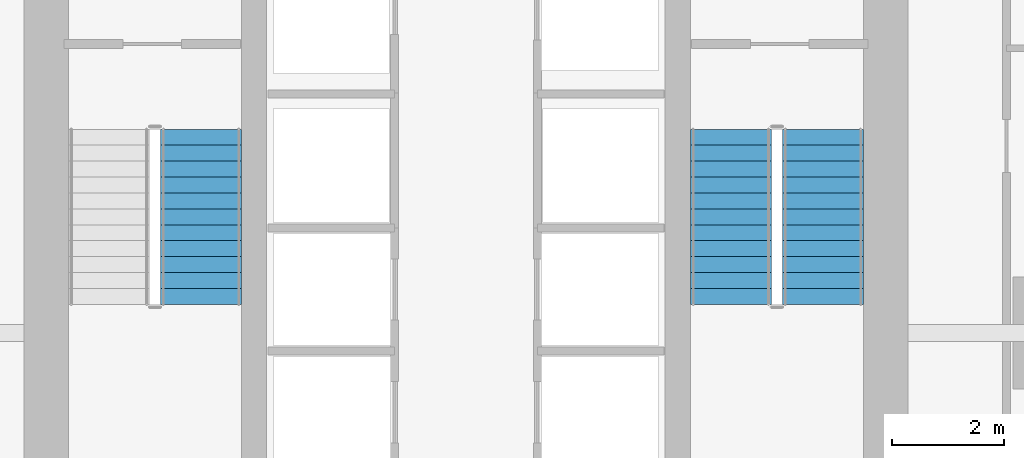
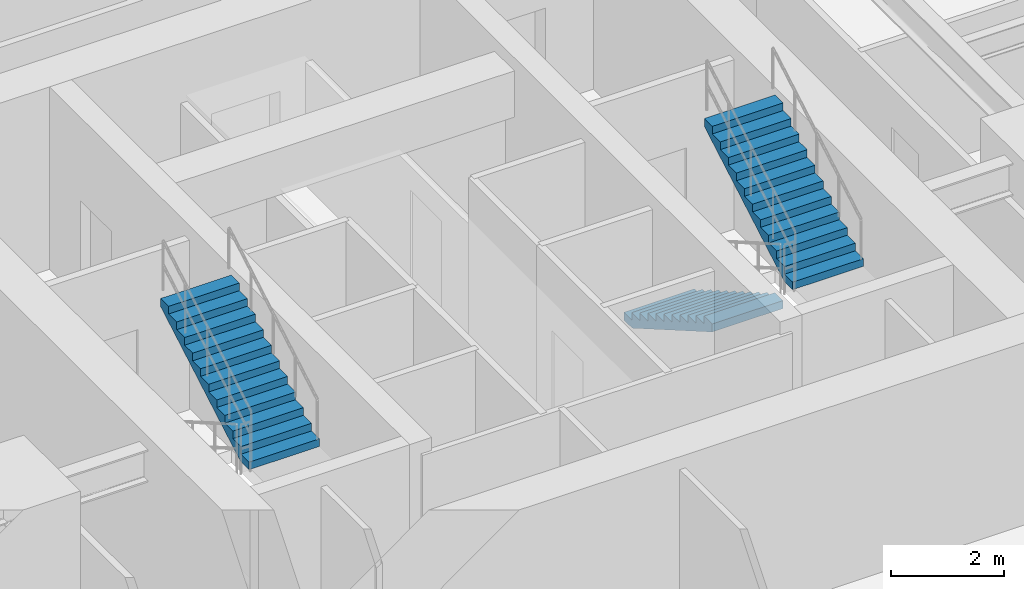
# One storey, part 25 of 27: 3 stair flights, 2 elements without a shape of their own.
"""IFC4 building model written with IfcOpenShell, lengths in metres."""

from ifc_helpers import new_model, si_unit, direction, frame, origin, place, context, subcontext, project, spatial, polyline, outline, extrude, material, type_object, element, aggregate, save


model = new_model("IFC4")

# Units and contexts
model_context = context("Model", 3, precision=1e-05, world=origin(), true_north=direction((0.0, 1.0)))
body_context = subcontext(model_context, "Body", "Model", "MODEL_VIEW")
ifc_project = project(units=[si_unit("LENGTHUNIT", "METRE"), si_unit("AREAUNIT", "SQUARE_METRE"), si_unit("VOLUMEUNIT", "CUBIC_METRE"), si_unit("PLANEANGLEUNIT", "RADIAN"), si_unit("MASSUNIT", "GRAM", prefix="KILO")], contexts=[model_context])

# Site, building, storey
site_placement = place(None, origin())
site = spatial("IfcSite", under=ifc_project, at=site_placement, CompositionType="ELEMENT")
building_placement = place(site_placement, origin())
building = spatial("IfcBuilding", under=site, at=building_placement, Name="Krantzveldt Concourse Tower", CompositionType="ELEMENT")
storey_placement = place(building_placement, frame((0.0, 0.0, 101.89990234375)))
storey = spatial("IfcBuildingStorey", under=building, at=storey_placement, Name="L24", CompositionType="ELEMENT", Elevation=101.89990234375)

# Stair, stair flight
ifc_material = material(Name="Precast concrete C40/50", Category="concrete")
stair_type = type_object("IfcStairType", Name="STR-CORE-DOGLEG", PredefinedType="HALF_TURN_STAIR", material=ifc_material)
stair_1_placement = place(storey_placement, origin())
stair_1 = element("IfcStair", 1, at=stair_1_placement, inside=storey, type_object=stair_type, Name="L24 Protected Escape Stair ST-1", PredefinedType="HALF_TURN_STAIR")
stair_flight_type = type_object("IfcStairFlightType", Name="STF-CORE-1450", PredefinedType="STRAIGHT", material=ifc_material)
stair_flight_1_placement = place(storey_placement, frame((31.2548828125, 16.4150390625, 1.97509765625), z_axis=(0.0, 0.0, 1.0), x_axis=(0.0, 1.0, 0.0)))
stair_flight_1 = element("IfcStairFlight", 2, at=stair_flight_1_placement, type_object=stair_flight_type, Name="ST-1 flight 2", NumberOfRisers=12, NumberOfTreads=11, PredefinedType="STRAIGHT", RiserHeight=0.164583333, TreadLength=0.285, context=body_context, shape_type="SweptSolid", body=[
    extrude(outline(polyline([(0.0, 0.0), (0.0, 0.16455078125), (0.284912109375, 0.16455078125), (0.284912109375, 0.3291015625), (0.570068359375, 0.3291015625), (0.570068359375, 0.49365234375), (0.85498046875, 0.49365234375), (0.85498046875, 0.658447265625), (1.139892578125, 0.658447265625), (1.139892578125, 0.822998046875), (1.425048828125, 0.822998046875), (1.425048828125, 0.987548828125), (1.7099609375, 0.987548828125), (1.7099609375, 1.152099609375), (1.9951171875, 1.152099609375), (1.9951171875, 1.316650390625), (2.280029296875, 1.316650390625), (2.280029296875, 1.481201171875), (2.56494140625, 1.481201171875), (2.56494140625, 1.645751953125), (2.85009765625, 1.645751953125), (2.85009765625, 1.810302734375), (3.135009765625, 1.810302734375), (3.135009765625, 1.97509765625), (3.135009765625, 1.63720703125), (0.2998046875, 0.0), (0.0, 0.0)])), frame((0.0, 0.72509765625, 0.0), z_axis=(0.0, -1.0, 0.0), x_axis=(1.0, 0.0, 0.0)), (0.0, 0.0, 1.0), 1.449951171875),
])
aggregate(stair_1, [stair_flight_1])

# Stair, stair flights
stair_2_placement = place(storey_placement, origin())
stair_2 = element("IfcStair", 3, at=stair_2_placement, inside=storey, type_object=stair_type, Name="L24 Protected Escape Stair ST-2", PredefinedType="HALF_TURN_STAIR")
stair_flight_2_placement = place(storey_placement, frame((40.7451171875, 19.550048828125, 0.0), z_axis=(0.0, 0.0, 1.0), x_axis=(0.0, -1.0, 0.0)))
stair_flight_2 = element("IfcStairFlight", 4, at=stair_flight_2_placement, type_object=stair_flight_type, Name="ST-2 flight 1", NumberOfRisers=12, NumberOfTreads=11, PredefinedType="STRAIGHT", RiserHeight=0.164583333, TreadLength=0.285, context=body_context, shape_type="SweptSolid", body=[
    extrude(outline(polyline([(0.0, 0.0), (0.0, 0.16455078125), (0.284912109375, 0.16455078125), (0.284912109375, 0.3291015625), (0.570068359375, 0.3291015625), (0.570068359375, 0.49365234375), (0.85498046875, 0.49365234375), (0.85498046875, 0.658447265625), (1.139892578125, 0.658447265625), (1.139892578125, 0.822998046875), (1.425048828125, 0.822998046875), (1.425048828125, 0.987548828125), (1.7099609375, 0.987548828125), (1.7099609375, 1.152099609375), (1.9951171875, 1.152099609375), (1.9951171875, 1.316650390625), (2.280029296875, 1.316650390625), (2.280029296875, 1.481201171875), (2.56494140625, 1.481201171875), (2.56494140625, 1.645751953125), (2.85009765625, 1.645751953125), (2.85009765625, 1.810302734375), (3.135009765625, 1.810302734375), (3.135009765625, 1.97509765625), (3.135009765625, 1.63720703125), (0.2998046875, 0.0), (0.0, 0.0)])), frame((0.0, 0.72509765625, 0.0), z_axis=(0.0, -1.0, 0.0), x_axis=(1.0, 0.0, 0.0)), (0.0, 0.0, 1.0), 1.449951171875),
])
stair_flight_3_placement = place(storey_placement, frame((42.39501953125, 16.4150390625, 1.97509765625), z_axis=(0.0, 0.0, 1.0), x_axis=(0.0, 1.0, 0.0)))
stair_flight_3 = element("IfcStairFlight", 5, at=stair_flight_3_placement, type_object=stair_flight_type, Name="ST-2 flight 2", NumberOfRisers=12, NumberOfTreads=11, PredefinedType="STRAIGHT", RiserHeight=0.164583333, TreadLength=0.285, context=body_context, shape_type="SweptSolid", body=[
    extrude(outline(polyline([(0.0, 0.0), (0.0, 0.16455078125), (0.284912109375, 0.16455078125), (0.284912109375, 0.3291015625), (0.570068359375, 0.3291015625), (0.570068359375, 0.49365234375), (0.85498046875, 0.49365234375), (0.85498046875, 0.658447265625), (1.139892578125, 0.658447265625), (1.139892578125, 0.822998046875), (1.425048828125, 0.822998046875), (1.425048828125, 0.987548828125), (1.7099609375, 0.987548828125), (1.7099609375, 1.152099609375), (1.9951171875, 1.152099609375), (1.9951171875, 1.316650390625), (2.280029296875, 1.316650390625), (2.280029296875, 1.481201171875), (2.56494140625, 1.481201171875), (2.56494140625, 1.645751953125), (2.85009765625, 1.645751953125), (2.85009765625, 1.810302734375), (3.135009765625, 1.810302734375), (3.135009765625, 1.97509765625), (3.135009765625, 1.63720703125), (0.2998046875, 0.0), (0.0, 0.0)])), frame((0.0, 0.72509765625, 0.0), z_axis=(0.0, -1.0, 0.0), x_axis=(1.0, 0.0, 0.0)), (0.0, 0.0, 1.0), 1.449951171875),
])
aggregate(stair_2, [stair_flight_2, stair_flight_3])

save(model, "model.ifc")
